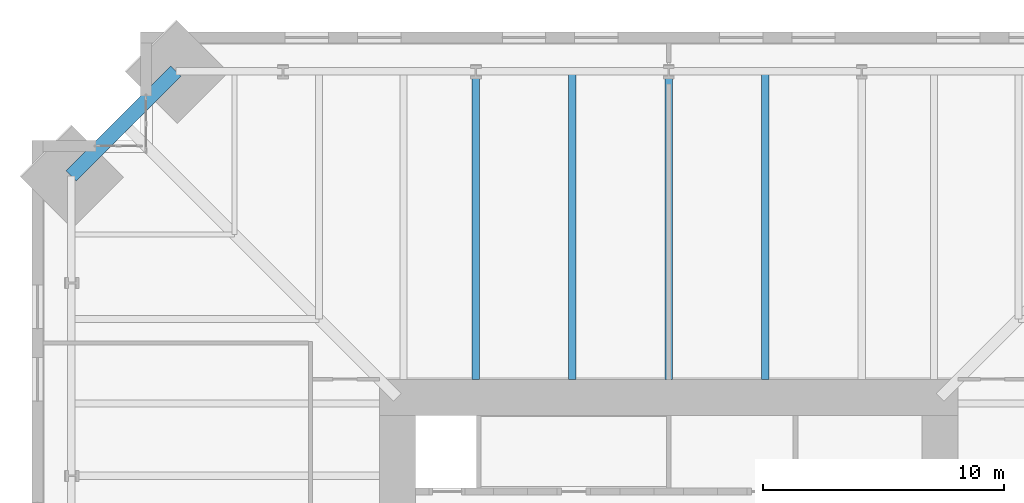
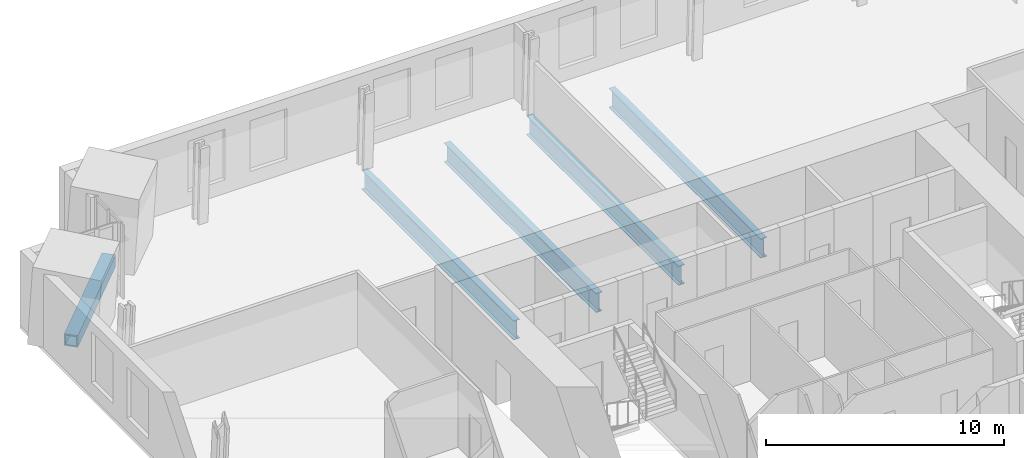
# One storey, part 7 of 18: 5 beams.
"""IFC4 building model written with IfcOpenShell, lengths in metres."""

from ifc_helpers import new_model, si_unit, direction, frame, origin, origin_2d, place, context, subcontext, project, spatial, hollow_rectangle, i_section, extrude, material, material_profile, profile_set, type_object, element, save


model = new_model("IFC4")

# Units and contexts
model_context = context("Model", 3, precision=1e-05, world=origin(), true_north=direction((0.0, 1.0)))
body_context = subcontext(model_context, "Body", "Model", "MODEL_VIEW")
ifc_project = project(units=[si_unit("LENGTHUNIT", "METRE"), si_unit("AREAUNIT", "SQUARE_METRE"), si_unit("VOLUMEUNIT", "CUBIC_METRE"), si_unit("PLANEANGLEUNIT", "RADIAN"), si_unit("MASSUNIT", "GRAM", prefix="KILO")], contexts=[model_context])

# Site, building, storey
site_placement = place(None, origin())
site = spatial("IfcSite", under=ifc_project, at=site_placement, CompositionType="ELEMENT")
building_placement = place(site_placement, origin())
building = spatial("IfcBuilding", under=site, at=building_placement, Name="Peilmerk Tower", CompositionType="ELEMENT")
storey_placement = place(building_placement, frame((0.0, 0.0, 151.800048828125)))
storey = spatial("IfcBuildingStorey", under=building, at=storey_placement, Name="L31", CompositionType="ELEMENT", Elevation=151.800048828125)

# Beams
ifc_material_1 = material(Name="Steel S355", Category="steel")
ifc_material_profile_1 = material_profile(ifc_material_1, i_section(OverallWidth=0.300048828125, OverallDepth=0.989990234375, WebThickness=0.0166015625, FlangeThickness=0.031005859375, at=origin_2d()), Name="HEA 1000")
ifc_profile_set_1 = profile_set([ifc_material_profile_1], Name="Steel S355")
beam_type_1 = type_object("IfcBeamType", Name="B14 HEA 1000 floor girder", PredefinedType="BEAM", material=ifc_profile_set_1)
for number, where, z_axis, x_axis, name in (
    (1, (4.0, 12.0, -0.6650390625), (0.0, 1.0, 0.0), (-1.0, 0.0, 0.0), "Floor beam L31"),
    (2, (0.0, 12.0, -0.6650390625), (0.0, 1.0, 0.0), (-1.0, 0.0, 0.0), "Floor beam L31"),
    (3, (-4.0, 12.0, -0.6650390625), (0.0, 1.0, 0.0), (-1.0, 0.0, 0.0), "Floor beam L31"),
    (4, (-8.0, 12.0, -0.6650390625), (0.0, 1.0, 0.0), (-1.0, 0.0, 0.0), "Floor beam L31"),
):
    element("IfcBeam", number, at=place(storey_placement, frame(where, z_axis=z_axis, x_axis=x_axis)), inside=storey, type_object=beam_type_1, Name=name, PredefinedType="BEAM", context=body_context, shape_type="SweptSolid", body=[
        extrude(i_section(OverallWidth=0.300048828125, OverallDepth=0.989990234375, WebThickness=0.0166015625, FlangeThickness=0.031005859375, at=origin_2d()), origin(), (0.0, 0.0, 1.0), 12.77587890625),
    ])
ifc_material_2 = material(Name="Steel S460", Category="steel")
ifc_material_profile_2 = material_profile(ifc_material_2, hollow_rectangle(XDim=0.60009765625, YDim=0.60009765625, WallThickness=0.06005859375, at=origin_2d()), Name="BOX 600x600x60")
ifc_profile_set_2 = profile_set([ifc_material_profile_2], Name="Steel S460")
beam_type_2 = type_object("IfcBeamType", Name="B20 BOX 600x600x60 notch beam", PredefinedType="SPANDREL", material=ifc_profile_set_2)
beam_placement = place(storey_placement, frame((-24.77587890625, 20.42578125, -0.469970703125), z_axis=(0.707106781187, 0.707106781187, 0.0), x_axis=(-0.707106781187, 0.707106781187, 0.0)))
element("IfcBeam", 5, at=beam_placement, inside=storey, type_object=beam_type_2, Name="Notch beam L31", PredefinedType="SPANDREL", context=body_context, shape_type="SweptSolid", body=[
    extrude(hollow_rectangle(XDim=0.60009765625, YDim=0.60009765625, WallThickness=0.06005859375, at=origin_2d()), origin(), (0.0, 0.0, 1.0), 6.15185546875),
])

save(model, "model.ifc")
